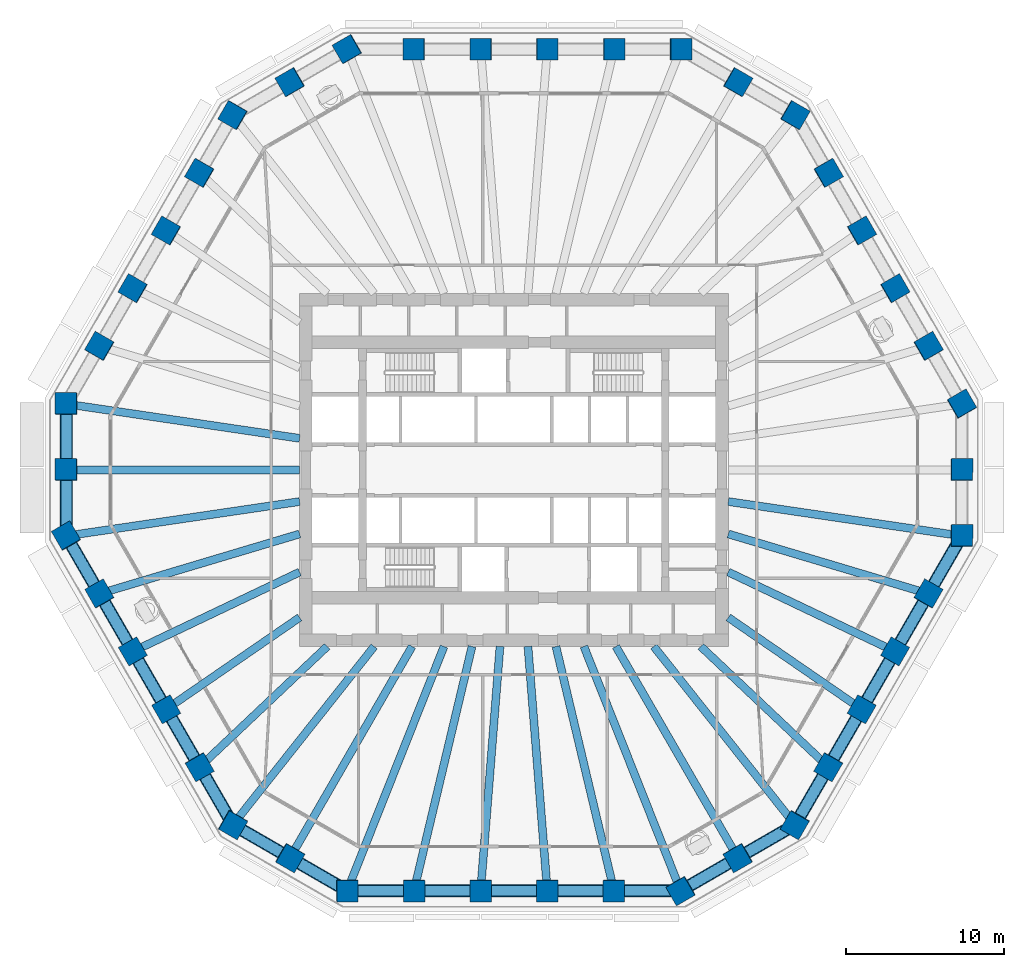
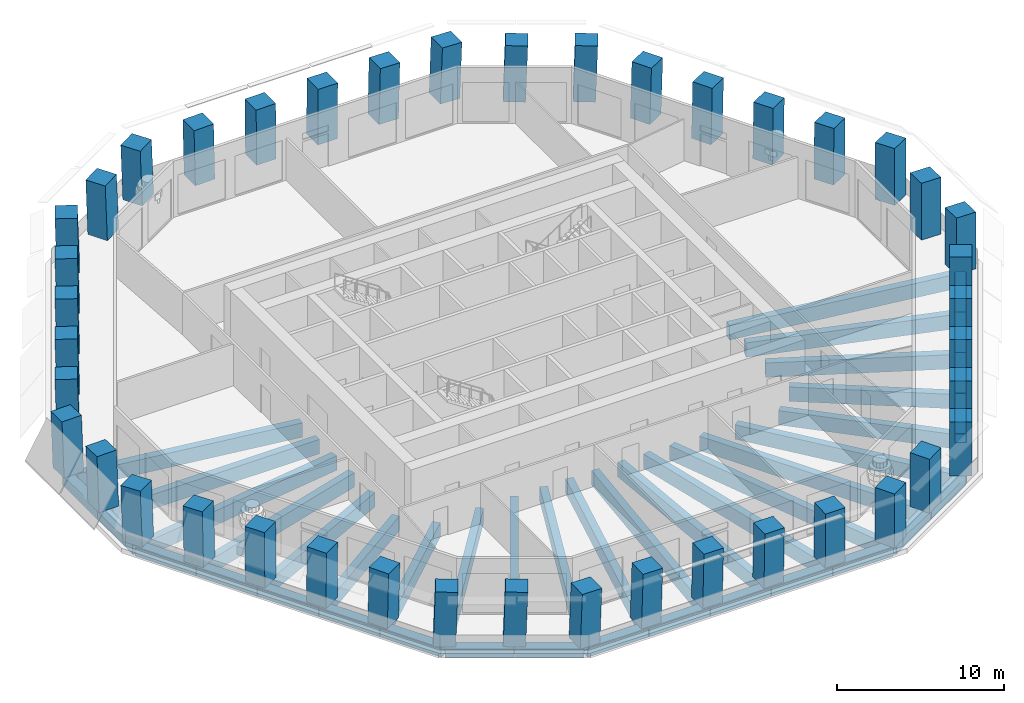
# One storey, part 1 of 12: 43 beams, 42 columns.
"""IFC4 building model written with IfcOpenShell, lengths in metres."""

from ifc_helpers import new_model, si_unit, direction, frame, origin, origin_2d, place, context, subcontext, project, spatial, rectangle, hollow_rectangle, extrude, material, material_profile, profile_set, type_object, element, save


model = new_model("IFC4")

# Units and contexts
model_context = context("Model", 3, precision=1e-05, world=origin(), true_north=direction((0.0, 1.0)))
body_context = subcontext(model_context, "Body", "Model", "MODEL_VIEW")
ifc_project = project(units=[si_unit("LENGTHUNIT", "METRE"), si_unit("AREAUNIT", "SQUARE_METRE"), si_unit("VOLUMEUNIT", "CUBIC_METRE"), si_unit("PLANEANGLEUNIT", "RADIAN"), si_unit("MASSUNIT", "GRAM", prefix="KILO")], contexts=[model_context])

# Site, building, storey
site_placement = place(None, origin())
site = spatial("IfcSite", under=ifc_project, at=site_placement, CompositionType="ELEMENT")
building_placement = place(site_placement, origin())
building = spatial("IfcBuilding", under=site, at=building_placement, Name="Frailejon Research Tower", CompositionType="ELEMENT")
storey_placement = place(building_placement, frame((0.0, 0.0, 80.800048828125)))
storey = spatial("IfcBuildingStorey", under=building, at=storey_placement, Name="L17", CompositionType="ELEMENT", Elevation=80.800048828125)

# Columns
ifc_material_1 = material(Name="Concrete C70/85", Category="concrete")
ifc_material_profile_1 = material_profile(ifc_material_1, rectangle(XDim=1.35009765625, YDim=1.35009765625, at=origin_2d()), Name="Column 1350")
ifc_profile_set_1 = profile_set([ifc_material_profile_1], Name="Concrete C70/85")
column_type = type_object("IfcColumnType", Name="Column 1350", PredefinedType="COLUMN", material=ifc_profile_set_1)
for number, where, z_axis, x_axis, name in (
    (1, (28.412841796875, -4.1875, 0.0), (0.018132630042, 0.031385715123, 0.999342856388), (-2.2275817e-05, 0.999507197449, -0.031390472292), "Column C01"),
    (2, (28.412841796875, 0.0, 0.0), (0.018132630042, 0.031385715123, 0.999342856388), (-2.2275817e-05, 0.999507197449, -0.031390472292), "Column C02"),
    (3, (28.412841796875, 4.1875, 0.0), (0.018132630042, 0.031385715123, 0.999342856388), (-0.500209083473, 0.865715193431, -0.018112886952), "Column C03"),
):
    element("IfcColumn", number, at=place(storey_placement, frame(where, z_axis=z_axis, x_axis=x_axis)), inside=storey, type_object=column_type, Name=name, PredefinedType="COLUMN", context=body_context, shape_type="SweptSolid", body=[
        extrude(rectangle(XDim=1.35009765625, YDim=1.35009765625, at=origin_2d()), origin(), (0.0, 0.0, 1.0), 4.052734375),
    ])
column_1_placement = place(storey_placement, frame((26.296875, 7.8525390625, 0.0), z_axis=(0.021749390218, 0.025123256844, 0.9994477405), x_axis=(-0.500115620545, 0.865890253502, -0.010882783573)))
element("IfcColumn", 4, at=column_1_placement, inside=storey, type_object=column_type, Name="Column C04", PredefinedType="COLUMN", context=body_context, shape_type="SweptSolid", body=[
    extrude(rectangle(XDim=1.35009765625, YDim=1.35009765625, at=origin_2d()), origin(), (0.0, 0.0, 1.0), 4.05224609375),
])
for number, where, z_axis, x_axis, name in (
    (5, (24.180908203125, 11.517578125, 0.0), (0.025365582388, 0.018858497119, 0.999500347332), (-0.500321526885, 0.865832042738, -0.003639162491), "Column C05"),
    (6, (22.06494140625, 15.1826171875, 0.0), (0.028980660531, 0.012532177527, 0.999501408624), (-0.499450496938, 0.866334867635, 0.003619147421), "Column C06"),
):
    element("IfcColumn", number, at=place(storey_placement, frame(where, z_axis=z_axis, x_axis=x_axis)), inside=storey, type_object=column_type, Name=name, PredefinedType="COLUMN", context=body_context, shape_type="SweptSolid", body=[
        extrude(rectangle(XDim=1.35009765625, YDim=1.35009765625, at=origin_2d()), origin(), (0.0, 0.0, 1.0), 4.052001953125),
    ])
column_2_placement = place(storey_placement, frame((19.948974609375, 18.847412109375, 0.0), z_axis=(0.032654187208, 0.006265748099, 0.999447069363), x_axis=(-0.499519823947, 0.866234008258, 0.010889831076)))
element("IfcColumn", 7, at=column_2_placement, inside=storey, type_object=column_type, Name="Column C07", PredefinedType="COLUMN", context=body_context, shape_type="SweptSolid", body=[
    extrude(rectangle(XDim=1.35009765625, YDim=1.35009765625, at=origin_2d()), origin(), (0.0, 0.0, 1.0), 4.05224609375),
])
for number, where, z_axis, x_axis, name in (
    (8, (17.8330078125, 22.512451171875, 0.0), (0.036265236264, 0.0, 0.999342199969), (-0.865313546461, 0.500246354177, 0.031401456084), "Column C08"),
    (9, (14.206298828125, 24.606201171875, 0.0), (0.036325398096, 0.0, 0.999340014936), (-0.865311654478, 0.500246354177, 0.031453549198), "Column C09"),
    (10, (10.579833984375, 26.699951171875, 0.0), (0.036265236264, 0.0, 0.999342199969), (-0.999342199969, 0.0, 0.036265236264), "Column C10"),
):
    element("IfcColumn", number, at=place(storey_placement, frame(where, z_axis=z_axis, x_axis=x_axis)), inside=storey, type_object=column_type, Name=name, PredefinedType="COLUMN", context=body_context, shape_type="SweptSolid", body=[
        extrude(rectangle(XDim=1.35009765625, YDim=1.35009765625, at=origin_2d()), origin(), (0.0, 0.0, 1.0), 4.052734375),
    ])
column_3_placement = place(storey_placement, frame((6.347900390625, 26.699951171875, 0.0), z_axis=(0.021756257337, 0.0, 0.999763304621), x_axis=(-0.999763304621, 0.0, 0.021756257337)))
element("IfcColumn", 11, at=column_3_placement, inside=storey, type_object=column_type, Name="Column C11", PredefinedType="COLUMN", context=body_context, shape_type="SweptSolid", body=[
    extrude(rectangle(XDim=1.35009765625, YDim=1.35009765625, at=origin_2d()), origin(), (0.0, 0.0, 1.0), 4.051025390625),
])
for number, where, z_axis, x_axis, name in (
    (12, (2.115966796875, 26.699951171875, 0.0), (0.007293795973, 0.0, 0.999973399916), (-0.999973399916, 0.0, 0.007293795973), "Column C12"),
    (13, (-2.115966796875, 26.699951171875, 0.0), (-0.007293795973, 0.0, 0.999973399916), (-0.999973399916, 0.0, -0.007293795973), "Column C13"),
):
    element("IfcColumn", number, at=place(storey_placement, frame(where, z_axis=z_axis, x_axis=x_axis)), inside=storey, type_object=column_type, Name=name, PredefinedType="COLUMN", context=body_context, shape_type="SweptSolid", body=[
        extrude(rectangle(XDim=1.35009765625, YDim=1.35009765625, at=origin_2d()), origin(), (0.0, 0.0, 1.0), 4.050048828125),
    ])
column_4_placement = place(storey_placement, frame((-6.347900390625, 26.699951171875, 0.0), z_axis=(-0.021756257337, 0.0, 0.999763304621), x_axis=(-0.999763304621, 0.0, -0.021756257337)))
element("IfcColumn", 14, at=column_4_placement, inside=storey, type_object=column_type, Name="Column C14", PredefinedType="COLUMN", context=body_context, shape_type="SweptSolid", body=[
    extrude(rectangle(XDim=1.35009765625, YDim=1.35009765625, at=origin_2d()), origin(), (0.0, 0.0, 1.0), 4.051025390625),
])
for number, where, z_axis, x_axis, name in (
    (15, (-10.579833984375, 26.699951171875, 0.0), (-0.036265236264, 0.0, 0.999342199969), (-0.865313546461, -0.500246354177, -0.031401456084), "Column C15"),
    (16, (-14.206298828125, 24.606201171875, 0.0), (-0.036325398096, 0.0, 0.999340014936), (-0.865311654478, -0.500246354177, -0.031453549198), "Column C16"),
    (17, (-17.8330078125, 22.512451171875, 0.0), (-0.036265236264, 0.0, 0.999342199969), (-0.499424867419, -0.866167613071, -0.018123682572), "Column C17"),
):
    element("IfcColumn", number, at=place(storey_placement, frame(where, z_axis=z_axis, x_axis=x_axis)), inside=storey, type_object=column_type, Name=name, PredefinedType="COLUMN", context=body_context, shape_type="SweptSolid", body=[
        extrude(rectangle(XDim=1.35009765625, YDim=1.35009765625, at=origin_2d()), origin(), (0.0, 0.0, 1.0), 4.052734375),
    ])
column_5_placement = place(storey_placement, frame((-19.948974609375, 18.847412109375, 0.0), z_axis=(-0.032654187208, 0.006265748099, 0.999447069363), x_axis=(-0.499519823947, -0.866234008258, -0.010889831076)))
element("IfcColumn", 18, at=column_5_placement, inside=storey, type_object=column_type, Name="Column C18", PredefinedType="COLUMN", context=body_context, shape_type="SweptSolid", body=[
    extrude(rectangle(XDim=1.35009765625, YDim=1.35009765625, at=origin_2d()), origin(), (0.0, 0.0, 1.0), 4.05224609375),
])
for number, where, z_axis, x_axis, name in (
    (19, (-22.06494140625, 15.1826171875, 0.0), (-0.028980660531, 0.012532177527, 0.999501408624), (-0.499450496938, -0.866334867635, -0.003619147421), "Column C19"),
    (20, (-24.180908203125, 11.517578125, 0.0), (-0.025365582388, 0.018858497119, 0.999500347332), (-0.500321526885, -0.865832042738, 0.003639162491), "Column C20"),
):
    element("IfcColumn", number, at=place(storey_placement, frame(where, z_axis=z_axis, x_axis=x_axis)), inside=storey, type_object=column_type, Name=name, PredefinedType="COLUMN", context=body_context, shape_type="SweptSolid", body=[
        extrude(rectangle(XDim=1.35009765625, YDim=1.35009765625, at=origin_2d()), origin(), (0.0, 0.0, 1.0), 4.052001953125),
    ])
column_6_placement = place(storey_placement, frame((-26.296875, 7.8525390625, 0.0), z_axis=(-0.021749390218, 0.025123256844, 0.9994477405), x_axis=(-0.500115620545, -0.865890253502, 0.010882783573)))
element("IfcColumn", 21, at=column_6_placement, inside=storey, type_object=column_type, Name="Column C21", PredefinedType="COLUMN", context=body_context, shape_type="SweptSolid", body=[
    extrude(rectangle(XDim=1.35009765625, YDim=1.35009765625, at=origin_2d()), origin(), (0.0, 0.0, 1.0), 4.05224609375),
])
for number, where, z_axis, x_axis, name in (
    (22, (-28.412841796875, 4.1875, 0.0), (-0.018132630042, 0.031385715123, 0.999342856388), (-0.000336383425, -0.999507319949, 0.031384776797), "Column C22"),
    (23, (-28.412841796875, 0.0, 0.0), (-0.018132630042, 0.031385715123, 0.999342856388), (-2.2275817e-05, -0.999507197449, 0.031390472292), "Column C23"),
    (24, (-28.412841796875, -4.1875, 0.0), (-0.018132630042, 0.031385715123, 0.999342856388), (0.50014482047, -0.865182814935, 0.036247141934), "Column C24"),
):
    element("IfcColumn", number, at=place(storey_placement, frame(where, z_axis=z_axis, x_axis=x_axis)), inside=storey, type_object=column_type, Name=name, PredefinedType="COLUMN", context=body_context, shape_type="SweptSolid", body=[
        extrude(rectangle(XDim=1.35009765625, YDim=1.35009765625, at=origin_2d()), origin(), (0.0, 0.0, 1.0), 4.052734375),
    ])
column_7_placement = place(storey_placement, frame((-26.296875, -7.8525390625, 0.0), z_axis=(-0.010847994403, 0.018863456933, 0.999763217472), x_axis=(0.498110056101, -0.866840736857, 0.021760260458)))
element("IfcColumn", 25, at=column_7_placement, inside=storey, type_object=column_type, Name="Column C25", PredefinedType="COLUMN", context=body_context, shape_type="SweptSolid", body=[
    extrude(rectangle(XDim=1.35009765625, YDim=1.35009765625, at=origin_2d()), origin(), (0.0, 0.0, 1.0), 4.051025390625),
])
for number, where, z_axis, x_axis, name in (
    (26, (-24.180908203125, -11.517578125, 0.0), (-0.003616759812, 0.006269050341, 0.999973808685), (0.500530036588, -0.865688916746, 0.00723753388), "Column C26"),
    (27, (-22.06494140625, -15.1826171875, 0.0), (0.003616759812, -0.006269050341, 0.999973808685), (0.498177152713, -0.867045063843, -0.007237525818), "Column C27"),
):
    element("IfcColumn", number, at=place(storey_placement, frame(where, z_axis=z_axis, x_axis=x_axis)), inside=storey, type_object=column_type, Name=name, PredefinedType="COLUMN", context=body_context, shape_type="SweptSolid", body=[
        extrude(rectangle(XDim=1.35009765625, YDim=1.35009765625, at=origin_2d()), origin(), (0.0, 0.0, 1.0), 4.050048828125),
    ])
column_8_placement = place(storey_placement, frame((-19.948974609375, -18.847412109375, 0.0), z_axis=(0.010908253887, -0.018863444567, 0.99976256204), x_axis=(0.50018659929, -0.865643429133, -0.021790353113)))
element("IfcColumn", 28, at=column_8_placement, inside=storey, type_object=column_type, Name="Column C28", PredefinedType="COLUMN", context=body_context, shape_type="SweptSolid", body=[
    extrude(rectangle(XDim=1.35009765625, YDim=1.35009765625, at=origin_2d()), origin(), (0.0, 0.0, 1.0), 4.051025390625),
])
for number, where, z_axis, x_axis, name in (
    (29, (-17.8330078125, -22.512451171875, 0.0), (0.018132630042, -0.031385715123, 0.999342856388), (0.866156195426, -0.498787200508, -0.031381104725), "Column C29"),
    (30, (-14.206298828125, -24.606201171875, 0.0), (0.018132630042, -0.031385715123, 0.999342856388), (0.866156195426, -0.498787200508, -0.031381104725), "Column C30"),
    (31, (-10.579833984375, -26.699951171875, 0.0), (0.018132595726, -0.031445896907, 0.999340965106), (0.99983524919, -0.000256147078, -0.018149624376), "Column C31"),
):
    element("IfcColumn", number, at=place(storey_placement, frame(where, z_axis=z_axis, x_axis=x_axis)), inside=storey, type_object=column_type, Name=name, PredefinedType="COLUMN", context=body_context, shape_type="SweptSolid", body=[
        extrude(rectangle(XDim=1.35009765625, YDim=1.35009765625, at=origin_2d()), origin(), (0.0, 0.0, 1.0), 4.052734375),
    ])
column_9_placement = place(storey_placement, frame((-6.347900390625, -26.699951171875, 0.0), z_axis=(0.010904798434, -0.031449197695, 0.999445863134), x_axis=(0.999940479279, 0.000693913361, -0.010888359996)))
element("IfcColumn", 32, at=column_9_placement, inside=storey, type_object=column_type, Name="Column C32", PredefinedType="COLUMN", context=body_context, shape_type="SweptSolid", body=[
    extrude(rectangle(XDim=1.35009765625, YDim=1.35009765625, at=origin_2d()), origin(), (0.0, 0.0, 1.0), 4.05224609375),
])
for number, where, z_axis, x_axis, name in (
    (33, (-2.115966796875, -26.699951171875, 0.0), (0.003615041636, -0.031450862236, 0.999498761749), (0.999993193045, -0.000624412618, -0.003636478086), "Column C33"),
    (34, (2.115966796875, -26.699951171875, 0.0), (-0.003615041636, -0.031450862236, 0.999498761749), (0.999993193045, 0.000624412618, 0.003636478086), "Column C34"),
):
    element("IfcColumn", number, at=place(storey_placement, frame(where, z_axis=z_axis, x_axis=x_axis)), inside=storey, type_object=column_type, Name=name, PredefinedType="COLUMN", context=body_context, shape_type="SweptSolid", body=[
        extrude(rectangle(XDim=1.35009765625, YDim=1.35009765625, at=origin_2d()), origin(), (0.0, 0.0, 1.0), 4.052001953125),
    ])
column_10_placement = place(storey_placement, frame((6.347900390625, -26.699951171875, 0.0), z_axis=(-0.010904798434, -0.031449197695, 0.999445863134), x_axis=(0.999940479279, -0.000693913361, 0.010888359996)))
element("IfcColumn", 35, at=column_10_placement, inside=storey, type_object=column_type, Name="Column C35", PredefinedType="COLUMN", context=body_context, shape_type="SweptSolid", body=[
    extrude(rectangle(XDim=1.35009765625, YDim=1.35009765625, at=origin_2d()), origin(), (0.0, 0.0, 1.0), 4.05224609375),
])
for number, where, z_axis, x_axis, name in (
    (36, (10.579833984375, -26.699951171875, 0.0), (-0.018132595726, -0.031445896907, 0.999340965106), (0.865469370655, 0.499974541214, 0.031436071558), "Column C36"),
    (37, (14.206298828125, -24.606201171875, 0.0), (-0.018132630042, -0.031385715123, 0.999342856388), (0.866156195426, 0.498787200508, 0.031381104725), "Column C37"),
    (38, (17.8330078125, -22.512451171875, 0.0), (-0.018132630042, -0.031385715123, 0.999342856388), (0.50014482047, 0.865182814935, 0.036247141934), "Column C38"),
):
    element("IfcColumn", number, at=place(storey_placement, frame(where, z_axis=z_axis, x_axis=x_axis)), inside=storey, type_object=column_type, Name=name, PredefinedType="COLUMN", context=body_context, shape_type="SweptSolid", body=[
        extrude(rectangle(XDim=1.35009765625, YDim=1.35009765625, at=origin_2d()), origin(), (0.0, 0.0, 1.0), 4.052734375),
    ])
column_11_placement = place(storey_placement, frame((19.948974609375, -18.847412109375, 0.0), z_axis=(-0.010908253887, -0.018863444567, 0.99976256204), x_axis=(0.50018659929, 0.865643429133, 0.021790353113)))
element("IfcColumn", 39, at=column_11_placement, inside=storey, type_object=column_type, Name="Column C39", PredefinedType="COLUMN", context=body_context, shape_type="SweptSolid", body=[
    extrude(rectangle(XDim=1.35009765625, YDim=1.35009765625, at=origin_2d()), origin(), (0.0, 0.0, 1.0), 4.051025390625),
])
for number, where, z_axis, x_axis, name in (
    (40, (22.06494140625, -15.1826171875, 0.0), (-0.003616759812, -0.006269050341, 0.999973808685), (0.498177152713, 0.867045063843, 0.007237525818), "Column C40"),
    (41, (24.180908203125, -11.517578125, 0.0), (0.003616759812, 0.006269050341, 0.999973808685), (0.500530036588, 0.865688916746, -0.00723753388), "Column C41"),
):
    element("IfcColumn", number, at=place(storey_placement, frame(where, z_axis=z_axis, x_axis=x_axis)), inside=storey, type_object=column_type, Name=name, PredefinedType="COLUMN", context=body_context, shape_type="SweptSolid", body=[
        extrude(rectangle(XDim=1.35009765625, YDim=1.35009765625, at=origin_2d()), origin(), (0.0, 0.0, 1.0), 4.050048828125),
    ])
column_12_placement = place(storey_placement, frame((26.296875, -7.8525390625, 0.0), z_axis=(0.010847994403, 0.018863456933, 0.999763217472), x_axis=(0.498110056101, 0.866840736857, -0.021760260458)))
element("IfcColumn", 42, at=column_12_placement, inside=storey, type_object=column_type, Name="Column C42", PredefinedType="COLUMN", context=body_context, shape_type="SweptSolid", body=[
    extrude(rectangle(XDim=1.35009765625, YDim=1.35009765625, at=origin_2d()), origin(), (0.0, 0.0, 1.0), 4.051025390625),
])

# Beams
ifc_material_2 = material(Name="Concrete C60/75", Category="concrete")
ifc_material_profile_2 = material_profile(ifc_material_2, rectangle(XDim=0.5, YDim=1.050048828125, at=origin_2d()), Name="Girder 500x1050")
ifc_profile_set_2 = profile_set([ifc_material_profile_2], Name="Concrete C60/75")
beam_type_1 = type_object("IfcBeamType", Name="Girder 500x1050", PredefinedType="BEAM", material=ifc_profile_set_2)
for number, where, z_axis, x_axis, name in (
    (43, (27.88623046875, -4.110107421875, -0.824951171875), (-0.989311124491, 0.145820091065, 0.0), (-0.145820091065, -0.989311124491, 0.0), "Girder 500x1050"),
    (44, (-27.88623046875, 4.110107421875, -0.824951171875), (0.989311124491, -0.145820091065, 0.0), (0.145820091065, 0.989311124491, 0.0), "Girder 500x1050"),
):
    element("IfcBeam", number, at=place(storey_placement, frame(where, z_axis=z_axis, x_axis=x_axis)), inside=storey, type_object=beam_type_1, Name=name, PredefinedType="BEAM", context=body_context, shape_type="SweptSolid", body=[
        extrude(rectangle(XDim=0.5, YDim=1.050048828125, at=origin_2d()), origin(), (0.0, 0.0, 1.0), 14.4404296875),
    ])
beam_1_placement = place(storey_placement, frame((-27.8876953125, 0.0, -0.824951171875), z_axis=(1.0, 0.0, 0.0), x_axis=(0.0, 1.0, 0.0)))
element("IfcBeam", 45, at=beam_1_placement, inside=storey, type_object=beam_type_1, Name="Girder 500x1050", PredefinedType="BEAM", context=body_context, shape_type="SweptSolid", body=[
    extrude(rectangle(XDim=0.5, YDim=1.050048828125, at=origin_2d()), origin(), (0.0, 0.0, 1.0), 14.28759765625),
])
beam_2_placement = place(storey_placement, frame((-27.843017578125, -4.103515625, -0.824951171875), z_axis=(0.989313352989, 0.1458049711, 0.0), x_axis=(-0.1458049711, 0.989313352989, 0.0)))
element("IfcBeam", 46, at=beam_2_placement, inside=storey, type_object=beam_type_1, Name="Girder 500x1050", PredefinedType="BEAM", context=body_context, shape_type="SweptSolid", body=[
    extrude(rectangle(XDim=0.5, YDim=1.050048828125, at=origin_2d()), origin(), (0.0, 0.0, 1.0), 14.396728515625),
])
beam_3_placement = place(storey_placement, frame((-25.775634765625, -7.697021484375, -0.824951171875), z_axis=(0.958186703473, 0.286143742352, 0.0), x_axis=(-0.286143742352, 0.958186703473, 0.0)))
element("IfcBeam", 47, at=beam_3_placement, inside=storey, type_object=beam_type_1, Name="Girder 500x1050", PredefinedType="BEAM", context=body_context, shape_type="SweptSolid", body=[
    extrude(rectangle(XDim=0.5, YDim=1.050048828125, at=origin_2d()), origin(), (0.0, 0.0, 1.0), 12.706787109375),
])
beam_4_placement = place(storey_placement, frame((-23.705078125, -11.290771484375, -0.824951171875), z_axis=(0.902822615457, 0.430013168425, 0.0), x_axis=(-0.430013168425, 0.902822615457, 0.0)))
element("IfcBeam", 48, at=beam_4_placement, inside=storey, type_object=beam_type_1, Name="Girder 500x1050", PredefinedType="BEAM", context=body_context, shape_type="SweptSolid", body=[
    extrude(rectangle(XDim=0.5, YDim=1.050048828125, at=origin_2d()), origin(), (0.0, 0.0, 1.0), 11.192626953125),
])
beam_5_placement = place(storey_placement, frame((-21.630615234375, -14.8837890625, -0.824951171875), z_axis=(0.8238072803, 0.566869971797, 0.0), x_axis=(-0.566869971797, 0.8238072803, 0.0)))
element("IfcBeam", 49, at=beam_5_placement, inside=storey, type_object=beam_type_1, Name="Girder 500x1050", PredefinedType="BEAM", context=body_context, shape_type="SweptSolid", body=[
    extrude(rectangle(XDim=0.5, YDim=1.050048828125, at=origin_2d()), origin(), (0.0, 0.0, 1.0), 9.748046875),
])
beam_6_placement = place(storey_placement, frame((-19.5537109375, -18.47412109375, -0.824951171875), z_axis=(0.726886575183, 0.686757531316, 0.0), x_axis=(-0.686757531316, 0.726886575183, 0.0)))
element("IfcBeam", 50, at=beam_6_placement, inside=storey, type_object=beam_type_1, Name="Girder 500x1050", PredefinedType="BEAM", context=body_context, shape_type="SweptSolid", body=[
    extrude(rectangle(XDim=0.5, YDim=1.050048828125, at=origin_2d()), origin(), (0.0, 0.0, 1.0), 10.592041015625),
])
beam_7_placement = place(storey_placement, frame((-17.50244140625, -22.09521484375, -0.824951171875), z_axis=(0.620932815823, 0.783863788061, 0.0), x_axis=(-0.783863788061, 0.620932815823, 0.0)))
element("IfcBeam", 51, at=beam_7_placement, inside=storey, type_object=beam_type_1, Name="Girder 500x1050", PredefinedType="BEAM", context=body_context, shape_type="SweptSolid", body=[
    extrude(rectangle(XDim=0.5, YDim=1.050048828125, at=origin_2d()), origin(), (0.0, 0.0, 1.0), 13.8994140625),
])
beam_8_placement = place(storey_placement, frame((-13.94384765625, -24.151611328125, -0.824951171875), z_axis=(0.499994713456, 0.86602845595, 0.0), x_axis=(-0.86602845595, 0.499994713456, 0.0)))
element("IfcBeam", 52, at=beam_8_placement, inside=storey, type_object=beam_type_1, Name="Girder 500x1050", PredefinedType="BEAM", context=body_context, shape_type="SweptSolid", body=[
    extrude(rectangle(XDim=0.5, YDim=1.050048828125, at=origin_2d()), origin(), (0.0, 0.0, 1.0), 14.955322265625),
])
beam_9_placement = place(storey_placement, frame((-10.36767578125, -26.16455078125, -0.824951171875), z_axis=(0.368381434669, 0.929674738062, 0.0), x_axis=(-0.929674738062, 0.368381434669, 0.0)))
element("IfcBeam", 53, at=beam_9_placement, inside=storey, type_object=beam_type_1, Name="Girder 500x1050", PredefinedType="BEAM", context=body_context, shape_type="SweptSolid", body=[
    extrude(rectangle(XDim=0.5, YDim=1.050048828125, at=origin_2d()), origin(), (0.0, 0.0, 1.0), 16.0966796875),
])
beam_10_placement = place(storey_placement, frame((-6.22216796875, -26.1708984375, -0.824951171875), z_axis=(0.231301640786, 0.972882084823, 0.0), x_axis=(-0.972882084823, 0.231301640786, 0.0)))
element("IfcBeam", 54, at=beam_10_placement, inside=storey, type_object=beam_type_1, Name="Girder 500x1050", PredefinedType="BEAM", context=body_context, shape_type="SweptSolid", body=[
    extrude(rectangle(XDim=0.5, YDim=1.050048828125, at=origin_2d()), origin(), (0.0, 0.0, 1.0), 15.38818359375),
])
for number, where, z_axis, x_axis, name in (
    (55, (-2.074462890625, -26.174560546875, -0.824951171875), (0.07900426933, 0.996874277644, 0.0), (-0.996874277644, 0.07900426933, 0.0), "Girder 500x1050"),
    (56, (2.074462890625, -26.174560546875, -0.824951171875), (-0.07900426933, 0.996874277644, 0.0), (-0.996874277644, -0.07900426933, 0.0), "Girder 500x1050"),
):
    element("IfcBeam", number, at=place(storey_placement, frame(where, z_axis=z_axis, x_axis=x_axis)), inside=storey, type_object=beam_type_1, Name=name, PredefinedType="BEAM", context=body_context, shape_type="SweptSolid", body=[
        extrude(rectangle(XDim=0.5, YDim=1.050048828125, at=origin_2d()), origin(), (0.0, 0.0, 1.0), 15.021484375),
    ])
beam_11_placement = place(storey_placement, frame((6.22216796875, -26.1708984375, -0.824951171875), z_axis=(-0.231301640786, 0.972882084823, 0.0), x_axis=(-0.972882084823, -0.231301640786, 0.0)))
element("IfcBeam", 57, at=beam_11_placement, inside=storey, type_object=beam_type_1, Name="Girder 500x1050", PredefinedType="BEAM", context=body_context, shape_type="SweptSolid", body=[
    extrude(rectangle(XDim=0.5, YDim=1.050048828125, at=origin_2d()), origin(), (0.0, 0.0, 1.0), 15.38818359375),
])
beam_12_placement = place(storey_placement, frame((10.3837890625, -26.205078125, -0.824951171875), z_axis=(-0.368384348618, 0.929673583412, 0.0), x_axis=(-0.929673583412, -0.368384348618, 0.0)))
element("IfcBeam", 58, at=beam_12_placement, inside=storey, type_object=beam_type_1, Name="Girder 500x1050", PredefinedType="BEAM", context=body_context, shape_type="SweptSolid", body=[
    extrude(rectangle(XDim=0.5, YDim=1.050048828125, at=origin_2d()), origin(), (0.0, 0.0, 1.0), 16.14013671875),
])
beam_13_placement = place(storey_placement, frame((13.94384765625, -24.151611328125, -0.824951171875), z_axis=(-0.499994713456, 0.86602845595, 0.0), x_axis=(-0.86602845595, -0.499994713456, 0.0)))
element("IfcBeam", 59, at=beam_13_placement, inside=storey, type_object=beam_type_1, Name="Girder 500x1050", PredefinedType="BEAM", context=body_context, shape_type="SweptSolid", body=[
    extrude(rectangle(XDim=0.5, YDim=1.050048828125, at=origin_2d()), origin(), (0.0, 0.0, 1.0), 14.955322265625),
])
beam_14_placement = place(storey_placement, frame((17.47509765625, -22.060791015625, -0.824951171875), z_axis=(-0.620929484104, 0.78386642725, 0.0), x_axis=(-0.78386642725, -0.620929484104, 0.0)))
element("IfcBeam", 60, at=beam_14_placement, inside=storey, type_object=beam_type_1, Name="Girder 500x1050", PredefinedType="BEAM", context=body_context, shape_type="SweptSolid", body=[
    extrude(rectangle(XDim=0.5, YDim=1.050048828125, at=origin_2d()), origin(), (0.0, 0.0, 1.0), 13.85546875),
])
beam_15_placement = place(storey_placement, frame((19.5537109375, -18.47412109375, -0.824951171875), z_axis=(-0.726886575183, 0.686757531316, 0.0), x_axis=(-0.686757531316, -0.726886575183, 0.0)))
element("IfcBeam", 61, at=beam_15_placement, inside=storey, type_object=beam_type_1, Name="Girder 500x1050", PredefinedType="BEAM", context=body_context, shape_type="SweptSolid", body=[
    extrude(rectangle(XDim=0.5, YDim=1.050048828125, at=origin_2d()), origin(), (0.0, 0.0, 1.0), 10.592041015625),
])
beam_16_placement = place(storey_placement, frame((21.630615234375, -14.8837890625, -0.824951171875), z_axis=(-0.8238072803, 0.566869971797, 0.0), x_axis=(-0.566869971797, -0.8238072803, 0.0)))
element("IfcBeam", 62, at=beam_16_placement, inside=storey, type_object=beam_type_1, Name="Girder 500x1050", PredefinedType="BEAM", context=body_context, shape_type="SweptSolid", body=[
    extrude(rectangle(XDim=0.5, YDim=1.050048828125, at=origin_2d()), origin(), (0.0, 0.0, 1.0), 9.748046875),
])
beam_17_placement = place(storey_placement, frame((23.705078125, -11.290771484375, -0.824951171875), z_axis=(-0.902822615457, 0.430013168425, 0.0), x_axis=(-0.430013168425, -0.902822615457, 0.0)))
element("IfcBeam", 63, at=beam_17_placement, inside=storey, type_object=beam_type_1, Name="Girder 500x1050", PredefinedType="BEAM", context=body_context, shape_type="SweptSolid", body=[
    extrude(rectangle(XDim=0.5, YDim=1.050048828125, at=origin_2d()), origin(), (0.0, 0.0, 1.0), 11.192626953125),
])
beam_18_placement = place(storey_placement, frame((25.775634765625, -7.697021484375, -0.824951171875), z_axis=(-0.958186703473, 0.286143742352, 0.0), x_axis=(-0.286143742352, -0.958186703473, 0.0)))
element("IfcBeam", 64, at=beam_18_placement, inside=storey, type_object=beam_type_1, Name="Girder 500x1050", PredefinedType="BEAM", context=body_context, shape_type="SweptSolid", body=[
    extrude(rectangle(XDim=0.5, YDim=1.050048828125, at=origin_2d()), origin(), (0.0, 0.0, 1.0), 12.706787109375),
])
ifc_material_3 = material(Name="Steel S355", Category="steel")
ifc_material_profile_3 = material_profile(ifc_material_3, hollow_rectangle(XDim=0.800048828125, YDim=0.699951171875, WallThickness=0.050048828125, InnerFilletRadius=0.050048828125, OuterFilletRadius=0.10009765625, at=origin_2d()), Name="Ring chord")
ifc_profile_set_3 = profile_set([ifc_material_profile_3], Name="Steel S355")
beam_type_2 = type_object("IfcBeamType", Name="Ring chord", PredefinedType="BEAM", material=ifc_profile_set_3)
for number, where, z_axis, x_axis, name in (
    (65, (-28.412841796875, 4.16748046875, -0.699951171875), (0.0, -1.0, 0.0), (1.0, 0.0, 0.0), "Ring chord"),
    (66, (-28.412841796875, -0.02001953125, -0.699951171875), (0.0, -1.0, 0.0), (1.0, 0.0, 0.0), "Ring chord"),
):
    element("IfcBeam", number, at=place(storey_placement, frame(where, z_axis=z_axis, x_axis=x_axis)), inside=storey, type_object=beam_type_2, Name=name, PredefinedType="BEAM", context=body_context, shape_type="SweptSolid", body=[
        extrude(hollow_rectangle(XDim=0.800048828125, YDim=0.699951171875, WallThickness=0.050048828125, InnerFilletRadius=0.050048828125, OuterFilletRadius=0.10009765625, at=origin_2d()), origin(), (0.0, 0.0, 1.0), 4.1474609375),
    ])
for number, where, z_axis, x_axis, name in (
    (67, (-28.40283203125, -4.204833984375, -0.699951171875), (0.499991329354, -0.866030409726, 0.0), (0.866030409726, 0.499991329354, 0.0), "Ring chord"),
    (68, (-26.286865234375, -7.869873046875, -0.699951171875), (0.499991329354, -0.866030409726, 0.0), (0.866030409726, 0.499991329354, 0.0), "Ring chord"),
    (69, (-24.1708984375, -11.534912109375, -0.699951171875), (0.499991329354, -0.866030409726, 0.0), (0.866030409726, 0.499991329354, 0.0), "Ring chord"),
    (70, (-22.054931640625, -15.19970703125, -0.699951171875), (0.499991329354, -0.866030409726, 0.0), (0.866030409726, 0.499991329354, 0.0), "Ring chord"),
    (71, (-19.93896484375, -18.86474609375, -0.699951171875), (0.499991329354, -0.866030409726, 0.0), (0.866030409726, 0.499991329354, 0.0), "Ring chord"),
):
    element("IfcBeam", number, at=place(storey_placement, frame(where, z_axis=z_axis, x_axis=x_axis)), inside=storey, type_object=beam_type_2, Name=name, PredefinedType="BEAM", context=body_context, shape_type="SweptSolid", body=[
        extrude(hollow_rectangle(XDim=0.800048828125, YDim=0.699951171875, WallThickness=0.050048828125, InnerFilletRadius=0.050048828125, OuterFilletRadius=0.10009765625, at=origin_2d()), origin(), (0.0, 0.0, 1.0), 4.19189453125),
    ])
for number, where, z_axis, x_axis, name in (
    (72, (-17.815673828125, -22.5224609375, -0.699951171875), (0.866039536849, -0.499975520016, 0.0), (0.499975520016, 0.866039536849, 0.0), "Ring chord"),
    (73, (-14.189208984375, -24.6162109375, -0.699951171875), (0.866039536849, -0.499975520016, 0.0), (0.499975520016, 0.866039536849, 0.0), "Ring chord"),
):
    element("IfcBeam", number, at=place(storey_placement, frame(where, z_axis=z_axis, x_axis=x_axis)), inside=storey, type_object=beam_type_2, Name=name, PredefinedType="BEAM", context=body_context, shape_type="SweptSolid", body=[
        extrude(hollow_rectangle(XDim=0.800048828125, YDim=0.699951171875, WallThickness=0.050048828125, InnerFilletRadius=0.050048828125, OuterFilletRadius=0.10009765625, at=origin_2d()), origin(), (0.0, 0.0, 1.0), 4.147705078125),
    ])
for number, where, z_axis, x_axis, name in (
    (74, (-10.559814453125, -26.699951171875, -0.699951171875), (1.0, 0.0, 0.0), (0.0, 1.0, 0.0), "Ring chord"),
    (75, (-6.327880859375, -26.699951171875, -0.699951171875), (1.0, 0.0, 0.0), (0.0, 1.0, 0.0), "Ring chord"),
    (76, (-2.095947265625, -26.699951171875, -0.699951171875), (1.0, 0.0, 0.0), (0.0, 1.0, 0.0), "Ring chord"),
    (77, (2.135986328125, -26.699951171875, -0.699951171875), (1.0, 0.0, 0.0), (0.0, 1.0, 0.0), "Ring chord"),
    (78, (6.367919921875, -26.699951171875, -0.699951171875), (1.0, 0.0, 0.0), (0.0, 1.0, 0.0), "Ring chord"),
):
    element("IfcBeam", number, at=place(storey_placement, frame(where, z_axis=z_axis, x_axis=x_axis)), inside=storey, type_object=beam_type_2, Name=name, PredefinedType="BEAM", context=body_context, shape_type="SweptSolid", body=[
        extrude(hollow_rectangle(XDim=0.800048828125, YDim=0.699951171875, WallThickness=0.050048828125, InnerFilletRadius=0.050048828125, OuterFilletRadius=0.10009765625, at=origin_2d()), origin(), (0.0, 0.0, 1.0), 4.19189453125),
    ])
for number, where, z_axis, x_axis, name in (
    (79, (10.59716796875, -26.68994140625, -0.699951171875), (0.866039536849, 0.499975520016, 0.0), (-0.499975520016, 0.866039536849, 0.0), "Ring chord"),
    (80, (14.2236328125, -24.59619140625, -0.699951171875), (0.866039536849, 0.499975520016, 0.0), (-0.499975520016, 0.866039536849, 0.0), "Ring chord"),
):
    element("IfcBeam", number, at=place(storey_placement, frame(where, z_axis=z_axis, x_axis=x_axis)), inside=storey, type_object=beam_type_2, Name=name, PredefinedType="BEAM", context=body_context, shape_type="SweptSolid", body=[
        extrude(hollow_rectangle(XDim=0.800048828125, YDim=0.699951171875, WallThickness=0.050048828125, InnerFilletRadius=0.050048828125, OuterFilletRadius=0.10009765625, at=origin_2d()), origin(), (0.0, 0.0, 1.0), 4.147705078125),
    ])
for number, where, z_axis, x_axis, name in (
    (81, (17.843017578125, -22.4951171875, -0.699951171875), (0.499991329354, 0.866030409726, 0.0), (-0.866030409726, 0.499991329354, 0.0), "Ring chord"),
    (82, (19.958984375, -18.830078125, -0.699951171875), (0.499991329354, 0.866030409726, 0.0), (-0.866030409726, 0.499991329354, 0.0), "Ring chord"),
    (83, (22.074951171875, -15.165283203125, -0.699951171875), (0.499991329354, 0.866030409726, 0.0), (-0.866030409726, 0.499991329354, 0.0), "Ring chord"),
    (84, (24.19091796875, -11.500244140625, -0.699951171875), (0.499991329354, 0.866030409726, 0.0), (-0.866030409726, 0.499991329354, 0.0), "Ring chord"),
    (85, (26.306884765625, -7.835205078125, -0.699951171875), (0.499991329354, 0.866030409726, 0.0), (-0.866030409726, 0.499991329354, 0.0), "Ring chord"),
):
    element("IfcBeam", number, at=place(storey_placement, frame(where, z_axis=z_axis, x_axis=x_axis)), inside=storey, type_object=beam_type_2, Name=name, PredefinedType="BEAM", context=body_context, shape_type="SweptSolid", body=[
        extrude(hollow_rectangle(XDim=0.800048828125, YDim=0.699951171875, WallThickness=0.050048828125, InnerFilletRadius=0.050048828125, OuterFilletRadius=0.10009765625, at=origin_2d()), origin(), (0.0, 0.0, 1.0), 4.19189453125),
    ])

save(model, "model.ifc")
